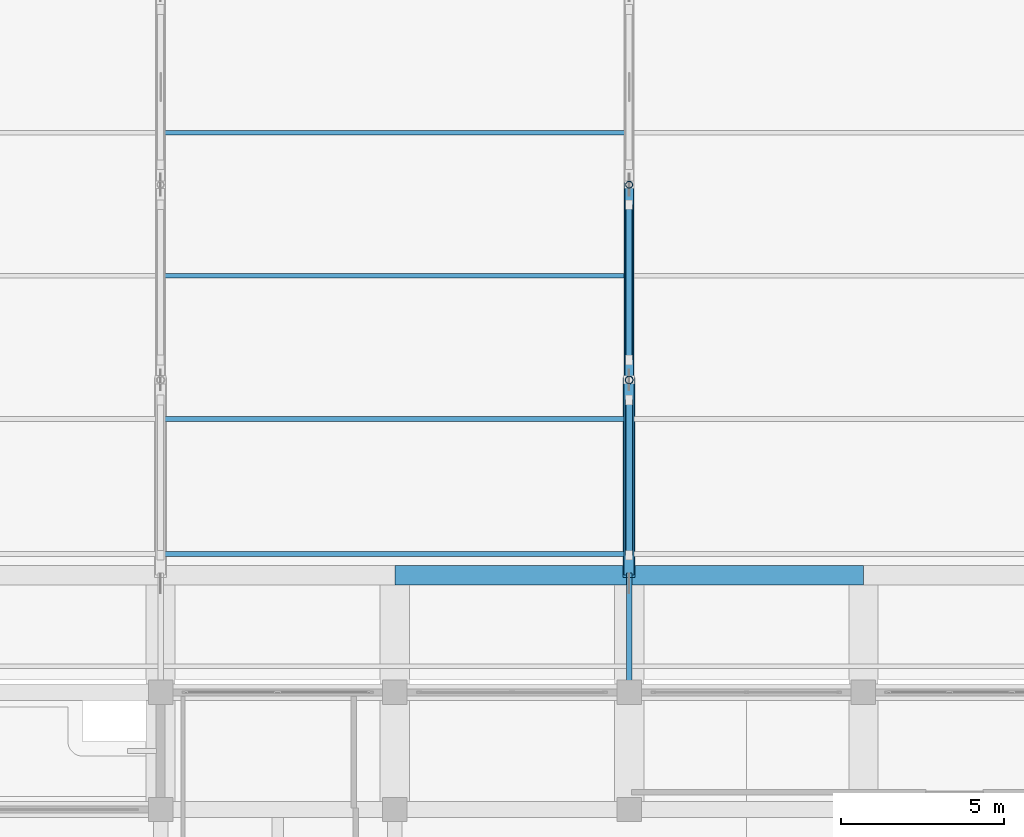
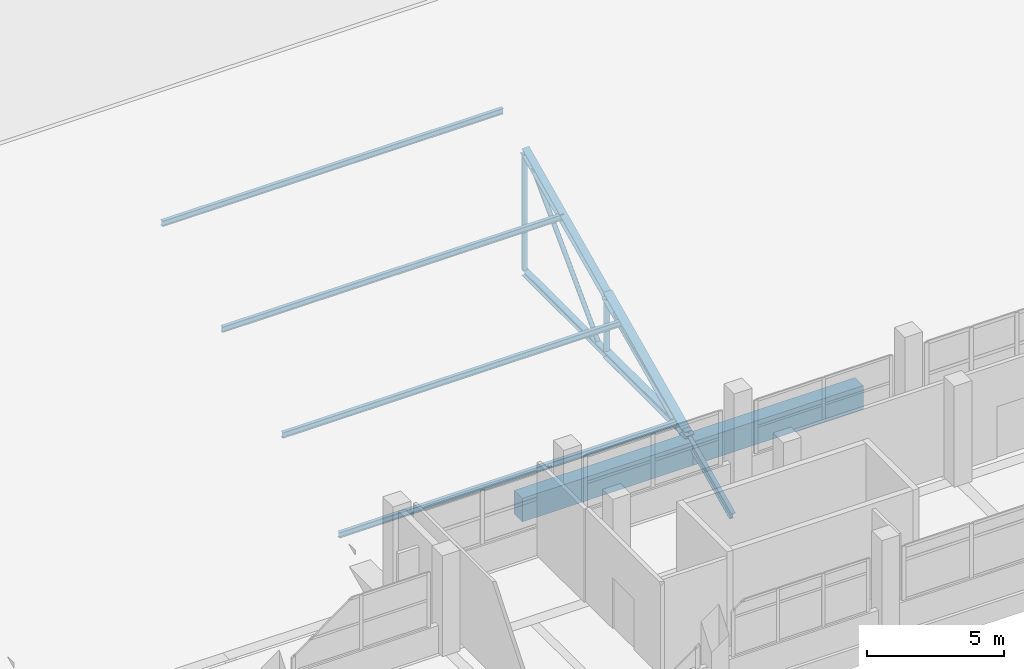
# One storey, part 78 of 141: 13 members, 2 beams, 1 element without a shape of its own.
"""IFC4 building model written with IfcOpenShell, lengths in metres."""

from ifc_helpers import new_model, si_unit, direction, frame, origin, origin_2d, place, context, subcontext, project, spatial, rectangle, hollow_circle, i_section, extrude, material, material_profile, profile_set, type_object, element, aggregate, save


model = new_model("IFC4")

# Units and contexts
model_context = context("Model", 3, precision=1e-05, world=origin(), true_north=direction((0.0, 1.0)))
body_context = subcontext(model_context, "Body", "Model", "MODEL_VIEW")
ifc_project = project(units=[si_unit("LENGTHUNIT", "METRE"), si_unit("AREAUNIT", "SQUARE_METRE"), si_unit("VOLUMEUNIT", "CUBIC_METRE"), si_unit("PLANEANGLEUNIT", "RADIAN"), si_unit("MASSUNIT", "GRAM", prefix="KILO")], contexts=[model_context])

# Site, building, storey
site_placement = place(None, origin())
site = spatial("IfcSite", under=ifc_project, at=site_placement, CompositionType="ELEMENT")
building_placement = place(site_placement, origin())
building = spatial("IfcBuilding", under=site, at=building_placement, Name="Seraya Terrace Polytechnic", CompositionType="ELEMENT")
storey_placement = place(building_placement, frame((0.0, 0.0, 14.39990234375)))
storey = spatial("IfcBuildingStorey", under=building, at=storey_placement, Name="L03", CompositionType="ELEMENT", Elevation=14.39990234375)

# Assembly, members
ifc_material_1 = material(Name="Steel S355J2", Category="steel")
element_assembly_type = type_object("IfcElementAssemblyType", Name="TR-A1", PredefinedType="TRUSS", material=ifc_material_1)
assembly_placement = place(storey_placement, origin())
assembly = element("IfcElementAssembly", 1, at=assembly_placement, inside=storey, type_object=element_assembly_type, Name="Pitched steel roof truss TR-04", AssemblyPlace="SITE", PredefinedType="TRUSS")
ifc_material_profile_1 = material_profile(ifc_material_1, i_section(OverallWidth=0.304931640625, OverallDepth=0.304931640625, WebThickness=0.014892578125, FlangeThickness=0.023681640625, at=origin_2d()), Name="UKC 305x305x14.9x23.8")
ifc_profile_set_1 = profile_set([ifc_material_profile_1], Name="Steel S355J2")
member_type_1 = type_object("IfcMemberType", Name="BC-01", PredefinedType="CHORD", material=ifc_profile_set_1)
member_1_placement = place(storey_placement, frame((57.60009765625, 79.199951171875, 0.150146484375), z_axis=(0.0, 1.0, 0.0), x_axis=(-1.0, 0.0, 0.0)))
member_1 = element("IfcMember", 2, at=member_1_placement, type_object=member_type_1, Name="TR-04 bottom chord 1", PredefinedType="CHORD", context=body_context, shape_type="SweptSolid", body=[
    extrude(i_section(OverallWidth=0.304931640625, OverallDepth=0.304931640625, WebThickness=0.014892578125, FlangeThickness=0.023681640625, at=origin_2d()), origin(), (0.0, 0.0, 1.0), 6.0),
])
ifc_material_profile_2 = material_profile(ifc_material_1, i_section(OverallWidth=0.25390625, OverallDepth=0.25390625, WebThickness=0.0107421875, FlangeThickness=0.017333984375, at=origin_2d()), Name="UKC 254x254x10.7x17.3")
ifc_profile_set_2 = profile_set([ifc_material_profile_2], Name="Steel S355J2")
member_type_2 = type_object("IfcMemberType", Name="BC-02", PredefinedType="CHORD", material=ifc_profile_set_2)
member_2_placement = place(storey_placement, frame((57.60009765625, 85.199951171875, 0.150146484375), z_axis=(0.0, 1.0, 0.0), x_axis=(-1.0, 0.0, 0.0)))
member_2 = element("IfcMember", 3, at=member_2_placement, type_object=member_type_2, Name="TR-04 bottom chord 2", PredefinedType="CHORD", context=body_context, shape_type="SweptSolid", body=[
    extrude(i_section(OverallWidth=0.25390625, OverallDepth=0.25390625, WebThickness=0.0107421875, FlangeThickness=0.017333984375, at=origin_2d()), origin(), (0.0, 0.0, 1.0), 6.0),
])

# Beams
ifc_material_2 = material(Name="Concrete C40/50", Category="concrete")
ifc_material_profile_3 = material_profile(ifc_material_2, rectangle(XDim=0.60009765625, YDim=1.050048828125, at=origin_2d()), Name="RC 600x1050")
ifc_profile_set_3 = profile_set([ifc_material_profile_3], Name="Concrete C40/50")
beam_type = type_object("IfcBeamType", Name="BM-01", PredefinedType="BEAM", material=ifc_profile_set_3)
beam_1_placement = place(storey_placement, frame((50.39990234375, 79.199951171875, -0.52490234375), z_axis=(1.0, 0.0, 0.0), x_axis=(0.0, 1.0, 0.0)))
element("IfcBeam", 4, at=beam_1_placement, inside=storey, type_object=beam_type, Name="Beam BM-01 L03 X (50.4..57.6, 79.2)", PredefinedType="BEAM", context=body_context, shape_type="SweptSolid", body=[
    extrude(rectangle(XDim=0.60009765625, YDim=1.050048828125, at=origin_2d()), origin(), (0.0, 0.0, 1.0), 7.2001953125),
])
beam_2_placement = place(storey_placement, frame((57.60009765625, 79.199951171875, -0.52490234375), z_axis=(1.0, 0.0, 0.0), x_axis=(0.0, 1.0, 0.0)))
element("IfcBeam", 5, at=beam_2_placement, inside=storey, type_object=beam_type, Name="Beam BM-01 L03 X (57.6..64.8, 79.2)", PredefinedType="BEAM", context=body_context, shape_type="SweptSolid", body=[
    extrude(rectangle(XDim=0.60009765625, YDim=1.050048828125, at=origin_2d()), origin(), (0.0, 0.0, 1.0), 7.199951171875),
])

# Member
ifc_material_profile_4 = material_profile(ifc_material_1, hollow_circle(Radius=0.109619140625, WallThickness=0.010009765625, at=origin_2d()), Name="CHS 219.1x10.0")
ifc_profile_set_4 = profile_set([ifc_material_profile_4], Name="Steel S355J2")
member_type_3 = type_object("IfcMemberType", Name="BR-01", PredefinedType="BRACE", material=ifc_profile_set_4)
member_3_placement = place(storey_placement, frame((57.60009765625, 79.820068359375, 0.316650390625), z_axis=(0.0, 0.921775035169, 0.387725140453), x_axis=(-1.0, 0.0, 0.0)))
member_3 = element("IfcMember", 6, at=member_3_placement, type_object=member_type_3, Name="TR-04 web diagonal 1", PredefinedType="BRACE", context=body_context, shape_type="SweptSolid", body=[
    extrude(hollow_circle(Radius=0.109619140625, WallThickness=0.010009765625, at=origin_2d()), origin(), (0.0, 0.0, 1.0), 5.1640625),
])

ifc_material_profile_5 = material_profile(ifc_material_1, hollow_circle(Radius=0.096923828125, WallThickness=0.010009765625, at=origin_2d()), Name="CHS 193.7x10.0")
ifc_profile_set_5 = profile_set([ifc_material_profile_5], Name="Steel S355J2")
member_type_4 = type_object("IfcMemberType", Name="BR-02", PredefinedType="BRACE", material=ifc_profile_set_5)
member_4_placement = place(storey_placement, frame((57.60009765625, 85.820068359375, 0.291015625), z_axis=(0.0, 0.700213947338, 0.713933069659), x_axis=(-1.0, 0.0, 0.0)))
member_4 = element("IfcMember", 7, at=member_4_placement, type_object=member_type_4, Name="TR-04 web diagonal 2", PredefinedType="BRACE", context=body_context, shape_type="SweptSolid", body=[
    extrude(hollow_circle(Radius=0.096923828125, WallThickness=0.010009765625, at=origin_2d()), origin(), (0.0, 0.0, 1.0), 6.7978515625),
])

# Members
ifc_material_profile_6 = material_profile(ifc_material_1, i_section(OverallWidth=0.14599609375, OverallDepth=0.25390625, WebThickness=0.007080078125, FlangeThickness=0.01416015625, at=origin_2d()), Name="UKB 254x146x7.2x14.2")
ifc_profile_set_6 = profile_set([ifc_material_profile_6], Name="Steel S355J2")
member_type_5 = type_object("IfcMemberType", Name="PR-01", PredefinedType="PURLIN", material=ifc_profile_set_6)
for number, where, z_axis, x_axis, name in (
    (8, (43.199951171875, 79.85009765625, 0.33349609375), (1.0, 0.0, 0.0), (0.0, 1.0, 0.0), "Workshop roof purlin PR-01 bay 3.2"),
    (9, (43.199951171875, 84.0, 2.270263671875), (1.0, 0.0, 0.0), (0.0, 1.0, 0.0), "Workshop roof purlin PR-01 bay 3.3"),
    (10, (43.199951171875, 88.39990234375, 4.323486328125), (1.0, 0.0, 0.0), (0.0, 1.0, 0.0), "Workshop roof purlin PR-01 bay 3.4"),
    (11, (43.199951171875, 92.800048828125, 6.376953125), (1.0, 0.0, 0.0), (0.0, 1.0, 0.0), "Workshop roof purlin PR-01 bay 3.5"),
):
    element("IfcMember", number, at=place(storey_placement, frame(where, z_axis=z_axis, x_axis=x_axis)), inside=storey, type_object=member_type_5, Name=name, PredefinedType="PURLIN", context=body_context, shape_type="SweptSolid", body=[
        extrude(i_section(OverallWidth=0.14599609375, OverallDepth=0.25390625, WebThickness=0.007080078125, FlangeThickness=0.01416015625, at=origin_2d()), origin(), (0.0, 0.0, 1.0), 14.400146484375),
    ])

# Member
ifc_material_profile_7 = material_profile(ifc_material_1, i_section(OverallWidth=0.1708984375, OverallDepth=0.35595703125, WebThickness=0.009033203125, FlangeThickness=0.015625, at=origin_2d()), Name="UKB 356x171x9.1x15.7")
ifc_profile_set_7 = profile_set([ifc_material_profile_7], Name="Steel S355J2")
member_type_6 = type_object("IfcMemberType", Name="RF-01", PredefinedType="RAFTER", material=ifc_profile_set_7)
member_5_placement = place(storey_placement, frame((57.60009765625, 79.199951171875, -0.052001953125), z_axis=(0.0, -0.906199036176, -0.422851400416), x_axis=(1.0, 0.0, 0.0)))
member_5 = element("IfcMember", 12, at=member_5_placement, type_object=member_type_6, Name="TR-04 South monsoon eave rafter", PredefinedType="RAFTER", context=body_context, shape_type="SweptSolid", body=[
    extrude(i_section(OverallWidth=0.1708984375, OverallDepth=0.35595703125, WebThickness=0.009033203125, FlangeThickness=0.015625, at=origin_2d()), origin(), (0.0, 0.0, 1.0), 3.53125),
])

ifc_material_profile_8 = material_profile(ifc_material_1, hollow_circle(Radius=0.122314453125, WallThickness=0.012451171875, at=origin_2d()), Name="CHS 244.5x12.5")
ifc_profile_set_8 = profile_set([ifc_material_profile_8], Name="Steel S355J2")
member_type_7 = type_object("IfcMemberType", Name="ST-M2", PredefinedType="STRUT", material=ifc_profile_set_8)
member_6_placement = place(storey_placement, frame((57.60009765625, 85.199951171875, 0.306640625), z_axis=(0.0, 0.0, 1.0), x_axis=(1.0, 0.0, 0.0)))
member_6 = element("IfcMember", 13, at=member_6_placement, type_object=member_type_7, Name="TR-04 vertical strut 2", PredefinedType="STRUT", context=body_context, shape_type="SweptSolid", body=[
    extrude(hollow_circle(Radius=0.122314453125, WallThickness=0.012451171875, at=origin_2d()), origin(), (0.0, 0.0, 1.0), 2.3115234375),
])

ifc_material_profile_9 = material_profile(ifc_material_1, hollow_circle(Radius=0.109619140625, WallThickness=0.010009765625, at=origin_2d()), Name="CHS 219.1x10.0")
ifc_profile_set_9 = profile_set([ifc_material_profile_9], Name="Steel S355J2")
member_type_8 = type_object("IfcMemberType", Name="ST-M3", PredefinedType="STRUT", material=ifc_profile_set_9)
member_7_placement = place(storey_placement, frame((57.60009765625, 91.199951171875, 0.281005859375), z_axis=(0.0, 0.0, 1.0), x_axis=(1.0, 0.0, 0.0)))
member_7 = element("IfcMember", 14, at=member_7_placement, type_object=member_type_8, Name="TR-04 vertical strut 3", PredefinedType="STRUT", context=body_context, shape_type="SweptSolid", body=[
    extrude(hollow_circle(Radius=0.109619140625, WallThickness=0.010009765625, at=origin_2d()), origin(), (0.0, 0.0, 1.0), 5.16259765625),
])

ifc_material_profile_10 = material_profile(ifc_material_1, i_section(OverallWidth=0.367919921875, OverallDepth=0.35595703125, WebThickness=0.014892578125, FlangeThickness=0.0244140625, at=origin_2d()), Name="UKC 356x368x15.0x24.4")
ifc_profile_set_10 = profile_set([ifc_material_profile_10], Name="Steel S355J2")
member_type_9 = type_object("IfcMemberType", Name="TC-01", PredefinedType="CHORD", material=ifc_profile_set_10)
member_8_placement = place(storey_placement, frame((57.60009765625, 79.199951171875, 0.0), z_axis=(0.0, 0.906180313975, 0.422891521036), x_axis=(-1.0, 0.0, 0.0)))
member_8 = element("IfcMember", 15, at=member_8_placement, type_object=member_type_9, Name="TR-04 top chord 1", PredefinedType="CHORD", context=body_context, shape_type="SweptSolid", body=[
    extrude(i_section(OverallWidth=0.367919921875, OverallDepth=0.35595703125, WebThickness=0.014892578125, FlangeThickness=0.0244140625, at=origin_2d()), origin(), (0.0, 0.0, 1.0), 6.62109375),
])

ifc_material_profile_11 = material_profile(ifc_material_1, i_section(OverallWidth=0.304931640625, OverallDepth=0.304931640625, WebThickness=0.011962890625, FlangeThickness=0.019775390625, at=origin_2d()), Name="UKC 305x305x12.0x19.7")
ifc_profile_set_11 = profile_set([ifc_material_profile_11], Name="Steel S355J2")
member_type_10 = type_object("IfcMemberType", Name="TC-02", PredefinedType="CHORD", material=ifc_profile_set_11)
member_9_placement = place(storey_placement, frame((57.60009765625, 85.199951171875, 2.800048828125), z_axis=(0.0, 0.906180313975, 0.422891521036), x_axis=(-1.0, 0.0, 0.0)))
member_9 = element("IfcMember", 16, at=member_9_placement, type_object=member_type_10, Name="TR-04 top chord 2", PredefinedType="CHORD", context=body_context, shape_type="SweptSolid", body=[
    extrude(i_section(OverallWidth=0.304931640625, OverallDepth=0.304931640625, WebThickness=0.011962890625, FlangeThickness=0.019775390625, at=origin_2d()), origin(), (0.0, 0.0, 1.0), 6.62109375),
])

aggregate(assembly, [member_1, member_8, member_2, member_9, member_6, member_7, member_3, member_4, member_5])

save(model, "model.ifc")
